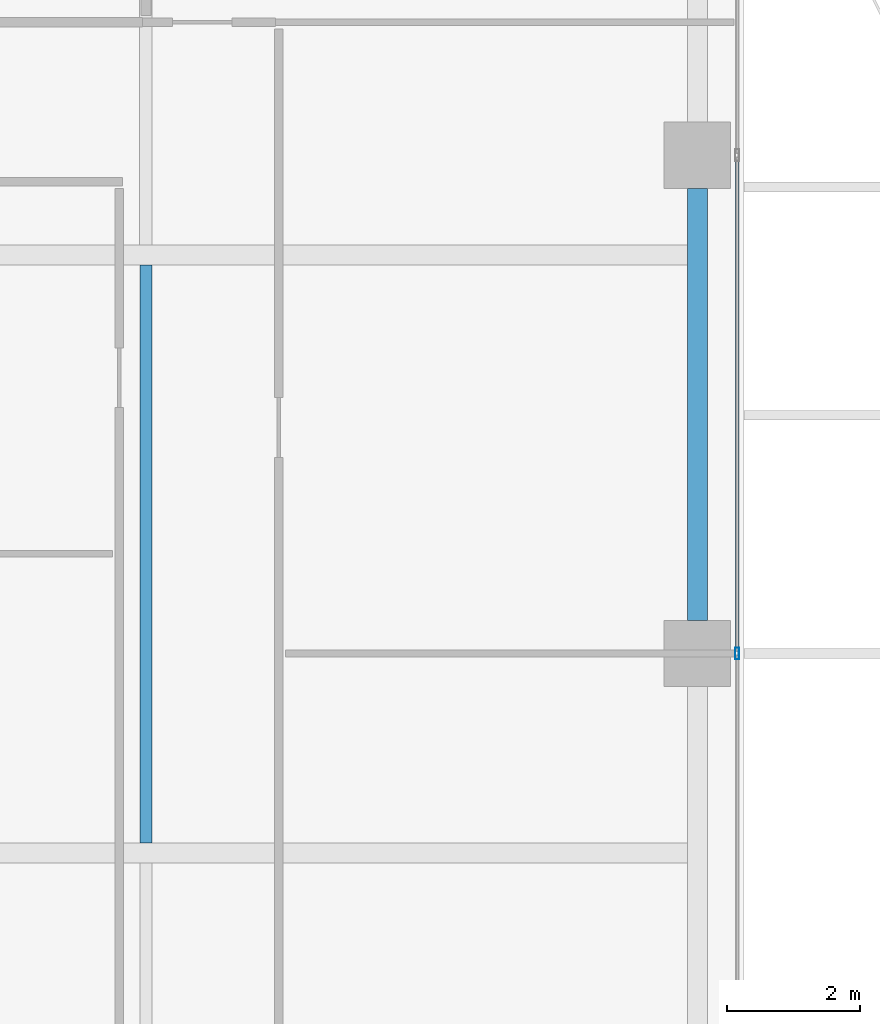
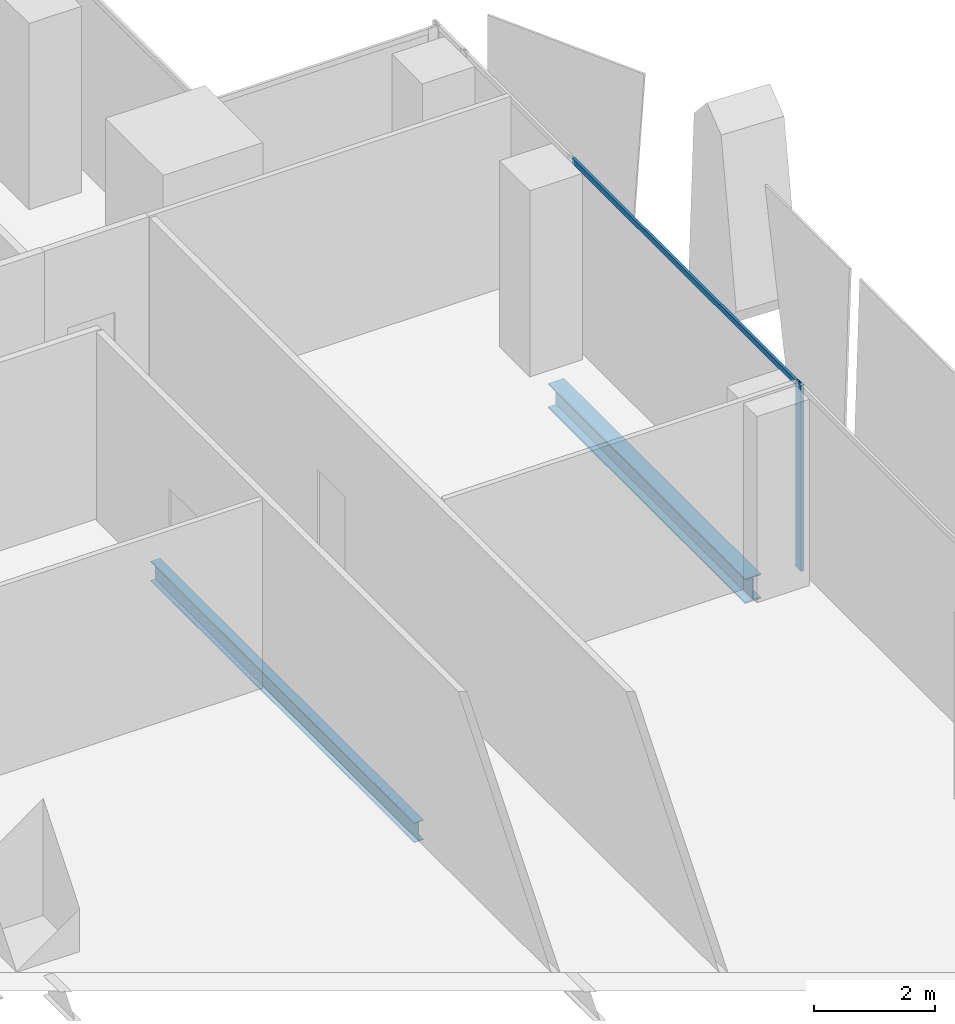
# One storey, part 21 of 38: 2 beams, 2 members, 1 element without a shape of its own.
"""IFC4 building model written with IfcOpenShell, lengths in metres."""

from ifc_helpers import new_model, si_unit, direction, frame, origin, origin_2d, place, context, subcontext, project, spatial, hollow_rectangle, i_section, extrude, source, transform, mapped, material, material_profile, profile_set, type_object, element, aggregate, save


model = new_model("IFC4")

# Units and contexts
model_context = context("Model", 3, precision=1e-05, world=origin(), true_north=direction((0.0, 1.0)))
body_context = subcontext(model_context, "Body", "Model", "MODEL_VIEW")
ifc_project = project(units=[si_unit("LENGTHUNIT", "METRE"), si_unit("AREAUNIT", "SQUARE_METRE"), si_unit("VOLUMEUNIT", "CUBIC_METRE"), si_unit("PLANEANGLEUNIT", "RADIAN"), si_unit("MASSUNIT", "GRAM", prefix="KILO")], contexts=[model_context])

# Site, building, storey
site_placement = place(None, origin())
site = spatial("IfcSite", under=ifc_project, at=site_placement, CompositionType="ELEMENT")
building_placement = place(site_placement, origin())
building = spatial("IfcBuilding", under=site, at=building_placement, Name="Khomas Fold Tower", CompositionType="ELEMENT")
storey_placement = place(building_placement, frame((0.0, 0.0, 208.699951171875)))
storey = spatial("IfcBuildingStorey", under=building, at=storey_placement, Name="L46", CompositionType="ELEMENT", Elevation=208.699951171875)

# Beams
ifc_material_1 = material(Name="Steel S355", Category="steel")
ifc_material_profile_1 = material_profile(ifc_material_1, i_section(OverallWidth=0.179931640625, OverallDepth=0.39990234375, WebThickness=0.008544921875, FlangeThickness=0.013427734375, at=origin_2d()), Name="IPE 400")
ifc_profile_set_1 = profile_set([ifc_material_profile_1], Name="Steel S355")
beam_type_1 = type_object("IfcBeamType", Name="IPE 400 beam JB3", PredefinedType="BEAM", material=ifc_profile_set_1)
shared_shape_1 = source(origin(), body_context, "Body", "SweptSolid", [
    extrude(i_section(OverallWidth=0.179931640625, OverallDepth=0.39990234375, WebThickness=0.008544921875, FlangeThickness=0.013427734375, at=origin_2d()), origin(), (0.0, 0.0, 1.0), 8.7001953125),
])
beam_1_placement = place(storey_placement, frame((42.0, 31.64990234375, -0.449951171875), z_axis=(0.0, 1.0, 0.0), x_axis=(-1.0, 0.0, 0.0)))
element("IfcBeam", 1, at=beam_1_placement, inside=storey, type_object=beam_type_1, Name="JB3", PredefinedType="BEAM", context=body_context, shape_type="MappedRepresentation", body=[
    mapped(shared_shape_1, transform((0.0, 0.0, 0.0))),
])
ifc_material_2 = material(Name="Steel S355", Category="steel")
ifc_material_profile_2 = material_profile(ifc_material_2, i_section(OverallWidth=0.300048828125, OverallDepth=0.5, WebThickness=0.014404296875, FlangeThickness=0.028076171875, at=origin_2d()), Name="HE 500 B")
ifc_profile_set_2 = profile_set([ifc_material_profile_2], Name="Steel S355")
beam_type_2 = type_object("IfcBeamType", Name="HE 500 B spandrel SB3", PredefinedType="SPANDREL", material=ifc_profile_set_2)
shared_shape_2 = source(origin(), body_context, "Body", "SweptSolid", [
    extrude(i_section(OverallWidth=0.300048828125, OverallDepth=0.5, WebThickness=0.014404296875, FlangeThickness=0.028076171875, at=origin_2d()), origin(), (0.0, 0.0, 1.0), 6.5),
])
beam_2_placement = place(storey_placement, frame((50.300048828125, 35.0, -0.5), z_axis=(0.0, 1.0, 0.0), x_axis=(-1.0, 0.0, 0.0)))
element("IfcBeam", 2, at=beam_2_placement, inside=storey, type_object=beam_type_2, Name="SB3", PredefinedType="SPANDREL", context=body_context, shape_type="MappedRepresentation", body=[
    mapped(shared_shape_2, transform((0.0, 0.0, 0.0))),
])

# Curtain wall, members
ifc_material_3 = material(Name="Aluminium framed double glazing", Category="aluminium")
curtain_wall_type = type_object("IfcCurtainWallType", Name="SK-Unitised clear-glass wall, office floors CW2", PredefinedType="NOTDEFINED", material=ifc_material_3)
curtain_wall_placement = place(storey_placement, origin())
curtain_wall = element("IfcCurtainWall", 3, at=curtain_wall_placement, inside=storey, type_object=curtain_wall_type, Name="CW2 run L46 03-0", PredefinedType="NOTDEFINED")
ifc_material_4 = material(Name="Aluminium", Category="aluminium")
ifc_material_profile_3 = material_profile(ifc_material_4, hollow_rectangle(XDim=0.06005859375, YDim=0.179931640625, WallThickness=0.00390625, at=origin_2d()), Name="SK-Unitised clear-glass wall, office floors mullion CW2-M")
ifc_profile_set_3 = profile_set([ifc_material_profile_3], Name="Aluminium")
member_type_1 = type_object("IfcMemberType", Name="SK-Unitised clear-glass wall, office floors mullion CW2-M", PredefinedType="MULLION", material=ifc_profile_set_3)
shared_shape_3 = source(origin(), body_context, "Body", "SweptSolid", [
    extrude(hollow_rectangle(XDim=0.06005859375, YDim=0.179931640625, WallThickness=0.00390625, at=origin_2d()), origin(), (0.0, 0.0, 1.0), 3.75),
])
member_1_placement = place(storey_placement, frame((50.89990234375, 34.5, 0.0), z_axis=(0.0, 0.0, 1.0), x_axis=(-1.0, 0.0, 0.0)))
member_1 = element("IfcMember", 4, at=member_1_placement, type_object=member_type_1, Name="CW2 mullion 6", PredefinedType="MULLION", context=body_context, shape_type="MappedRepresentation", body=[
    mapped(shared_shape_3, transform((0.0, 0.0, 0.0))),
])
ifc_material_5 = material(Name="Aluminium", Category="aluminium")
ifc_material_profile_4 = material_profile(ifc_material_5, hollow_rectangle(XDim=0.050048828125, YDim=0.110107421875, WallThickness=0.00390625, at=origin_2d()), Name="SK-Unitised clear-glass wall, office floors transom CW2-T")
ifc_profile_set_4 = profile_set([ifc_material_profile_4], Name="Aluminium")
member_type_2 = type_object("IfcMemberType", Name="SK-Unitised clear-glass wall, office floors transom CW2-T", PredefinedType="USERDEFINED", material=ifc_profile_set_4)
shared_shape_4 = source(origin(), body_context, "Body", "SweptSolid", [
    extrude(hollow_rectangle(XDim=0.050048828125, YDim=0.110107421875, WallThickness=0.00390625, at=origin_2d()), origin(), (0.0, 0.0, 1.0), 7.43994140625),
])
member_2_placement = place(storey_placement, frame((50.89990234375, 34.530029296875, 3.695068359375), z_axis=(0.0, 1.0, 0.0), x_axis=(-1.0, 0.0, 0.0)))
member_2 = element("IfcMember", 5, at=member_2_placement, type_object=member_type_2, Name="CW2 transom 6", ObjectType="TRANSOM", PredefinedType="USERDEFINED", context=body_context, shape_type="MappedRepresentation", body=[
    mapped(shared_shape_4, transform((0.0, 0.0, 0.0))),
])
aggregate(curtain_wall, [member_1, member_2])

save(model, "model.ifc")
